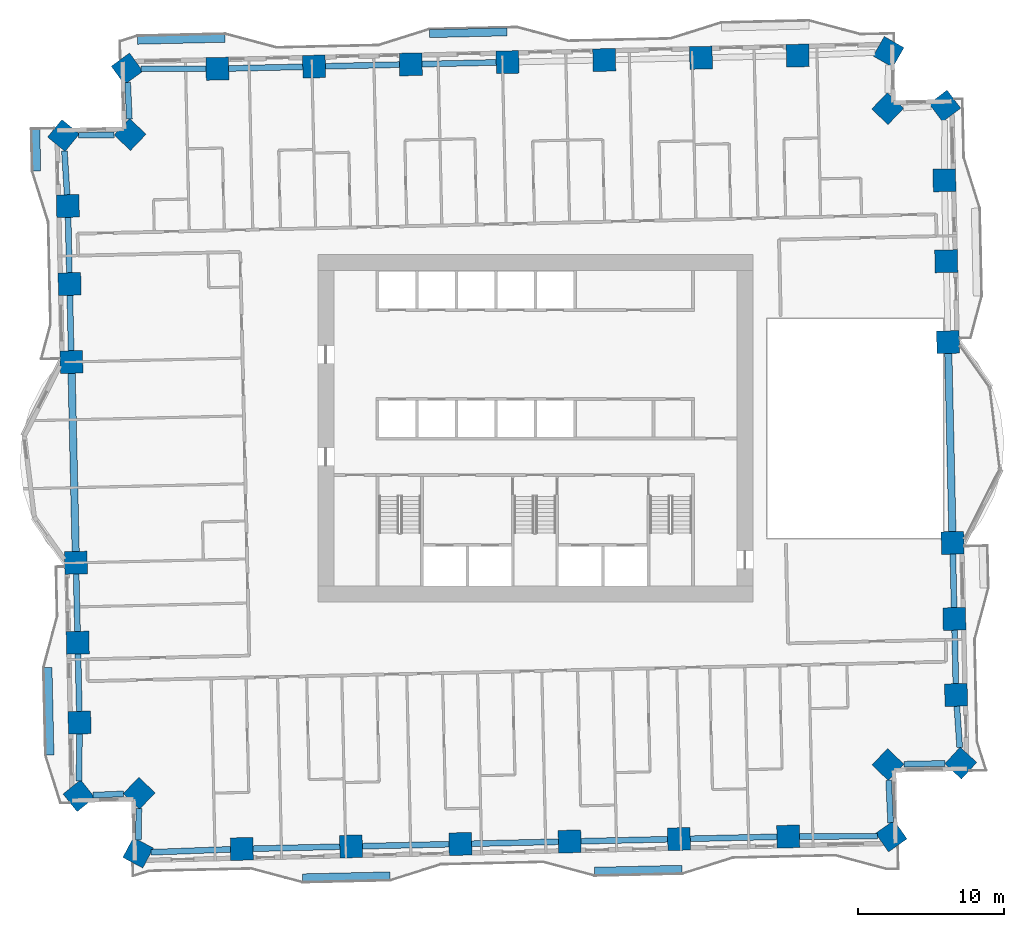
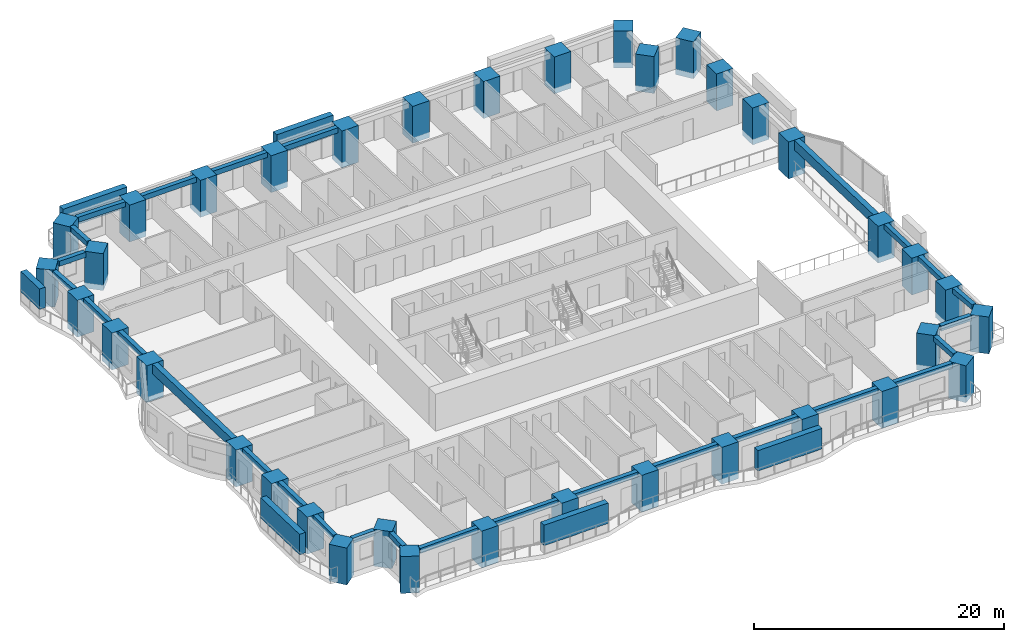
# One storey, part 1 of 16: 37 columns, 28 beams, 6 members.
"""IFC4 building model written with IfcOpenShell, lengths in metres."""

from ifc_helpers import new_model, si_unit, direction, frame, origin, origin_2d, place, context, subcontext, project, spatial, rectangle, extrude, material, material_profile, profile_set, type_object, element, save


model = new_model("IFC4")

# Units and contexts
model_context = context("Model", 3, precision=1e-05, world=origin(), true_north=direction((0.0, 1.0)))
body_context = subcontext(model_context, "Body", "Model", "MODEL_VIEW")
ifc_project = project(units=[si_unit("LENGTHUNIT", "METRE"), si_unit("AREAUNIT", "SQUARE_METRE"), si_unit("VOLUMEUNIT", "CUBIC_METRE"), si_unit("PLANEANGLEUNIT", "RADIAN"), si_unit("MASSUNIT", "GRAM", prefix="KILO")], contexts=[model_context])

# Site, building, storey
site_placement = place(None, origin())
site = spatial("IfcSite", under=ifc_project, at=site_placement, CompositionType="ELEMENT")
building_placement = place(site_placement, origin())
building = spatial("IfcBuilding", under=site, at=building_placement, Name="Mangrove Gate Tower", CompositionType="ELEMENT")
storey_placement = place(building_placement, frame((0.0, 0.0, 37.699951171875)))
storey = spatial("IfcBuildingStorey", under=building, at=storey_placement, Name="L08", CompositionType="ELEMENT", Elevation=37.699951171875)

# Columns
ifc_material_1 = material(Name="Concrete C70/85", Category="concrete")
ifc_material_profile_1 = material_profile(ifc_material_1, rectangle(XDim=1.550048828125, YDim=1.550048828125, at=origin_2d()))
ifc_profile_set_1 = profile_set([ifc_material_profile_1], Name="Concrete C70/85")
column_type = type_object("IfcColumnType", Name="Column RC 1550x1550 C70/85", PredefinedType="COLUMN", material=ifc_profile_set_1)
for number, where, z_axis, x_axis, name in (
    (1, (-31.461181640625, -9.204345703125, -0.550048828125), (0.0, 0.0, 1.0), (0.022677684385, -0.999742828247, 0.0), "Column L08 W06"),
    (2, (-31.337158203125, -14.678466796875, -0.550048828125), (0.0, 0.0, 1.0), (0.022648789156, -0.999743483274, 0.0), "Column L08 W07"),
    (3, (-31.213134765625, -20.1513671875, -0.550048828125), (0.0, 0.0, 1.0), (0.022740081264, -0.999741410918, 0.0), "Column L08 W08"),
    (4, (-31.259033203125, -25.157470703125, -0.550048828125), (0.0, 0.0, 1.0), (0.626513761853, -0.779410358033, 0.0), "Column L08 W09"),
    (5, (-27.129638671875, -24.986572265625, -0.550048828125), (0.0, 0.0, 1.0), (0.723003777622, -0.690844076144, 0.0), "Column L08 W10"),
    (6, (-27.205078125, -29.061767578125, -0.550048828125), (0.0, 0.0, 1.0), (0.88296485665, -0.469439092877, 0.0), "Column L08 S01"),
    (7, (-20.1025390625, -28.80224609375, -0.550048828125), (0.0, 0.0, 1.0), (0.999743591179, 0.022644025629, 0.0), "Column L08 S02"),
    (8, (-12.61962890625, -28.632080078125, -0.550048828125), (0.0, 0.0, 1.0), (0.999742076866, 0.022710784754, 0.0), "Column L08 S03"),
    (9, (-5.135498046875, -28.462158203125, -0.550048828125), (0.0, 0.0, 1.0), (0.999742111349, 0.022709266709, 0.0), "Column L08 S04"),
    (10, (2.348388671875, -28.292236328125, -0.550048828125), (0.0, 0.0, 1.0), (0.999742111349, 0.022709266709, 0.0), "Column L08 S05"),
    (11, (9.83251953125, -28.122314453125, -0.550048828125), (0.0, 0.0, 1.0), (0.999742076866, 0.022710784754, 0.0), "Column L08 S06"),
    (12, (17.3154296875, -27.9521484375, -0.550048828125), (0.0, 0.0, 1.0), (0.999743591179, 0.022644025629, 0.0), "Column L08 S07"),
    (13, (24.3720703125, -27.92333984375, -0.550048828125), (0.0, 0.0, 1.0), (0.818798537757, 0.574080965166, 0.0), "Column L08 S08"),
    (14, (24.143798828125, -23.023681640625, -0.550048828125), (0.0, 0.0, 1.0), (0.690875836988, 0.722973428188, 0.0), "Column L08 E01"),
    (15, (29.1318359375, -22.921142578125, -0.550048828125), (0.0, 0.0, 1.0), (0.675975496551, 0.736924099255, 0.0), "Column L08 E02"),
    (16, (28.80908203125, -18.256591796875, -0.550048828125), (0.0, 0.0, 1.0), (-0.022754110081, 0.99974109172, 0.0), "Column L08 E03"),
    (17, (28.691162109375, -13.049560546875, -0.550048828125), (0.0, 0.0, 1.0), (-0.022655978068, 0.999743320387, 0.0), "Column L08 E04"),
    (18, (28.5732421875, -7.842529296875, -0.550048828125), (0.0, 0.0, 1.0), (-0.022680668131, 0.999742760561, 0.0), "Column L08 E05"),
    (19, (28.26123046875, 5.904296875, -0.550048828125), (0.0, 0.0, 1.0), (-0.022703735442, 0.999742236978, 0.0), "Column L08 E06"),
    (20, (28.13525390625, 11.4443359375, -0.550048828125), (0.0, 0.0, 1.0), (-0.022645578574, 0.999743556004, 0.0), "Column L08 E07"),
    (21, (28.01025390625, 16.9853515625, -0.550048828125), (0.0, 0.0, 1.0), (-0.022645578574, 0.999743556004, 0.0), "Column L08 E08"),
    (22, (28.041015625, 22.0751953125, -0.550048828125), (0.0, 0.0, 1.0), (-0.60357593887, 0.797305516109, 0.0), "Column L08 E09"),
    (23, (24.12451171875, 21.8916015625, -0.550048828125), (0.0, 0.0, 1.0), (-0.723010312757, 0.690837236726, 0.0), "Column L08 E10"),
    (24, (24.18359375, 25.778564453125, -0.550048828125), (0.0, 0.0, 1.0), (-0.867550504106, 0.497349095531, 0.0), "Column L08 N01"),
    (25, (17.963623046875, 25.526123046875, -0.550048828125), (0.0, 0.0, 1.0), (-0.999741913532, -0.022717973655, 0.0), "Column L08 N02"),
    (26, (11.340576171875, 25.375244140625, -0.550048828125), (0.0, 0.0, 1.0), (-0.999741952388, -0.022716263674, 0.0), "Column L08 N03"),
    (27, (4.716552734375, 25.22509765625, -0.550048828125), (0.0, 0.0, 1.0), (-0.999743663498, -0.022640832496, 0.0), "Column L08 N04"),
    (28, (-1.906494140625, 25.0751953125, -0.550048828125), (0.0, 0.0, 1.0), (-0.999741913532, -0.022717973655, 0.0), "Column L08 N05"),
    (29, (-8.529296875, 24.92431640625, -0.550048828125), (0.0, 0.0, 1.0), (-0.999741952388, -0.022716263674, 0.0), "Column L08 N06"),
    (30, (-15.153564453125, 24.774169921875, -0.550048828125), (0.0, 0.0, 1.0), (-0.999743663498, -0.022640832496, 0.0), "Column L08 N07"),
    (31, (-21.7763671875, 24.624267578125, -0.550048828125), (0.0, 0.0, 1.0), (-0.999743624771, -0.02264254248, 0.0), "Column L08 N08"),
    (32, (-27.960693359375, 24.62255859375, -0.550048828125), (0.0, 0.0, 1.0), (-0.808269368168, -0.588812897686, 0.0), "Column L08 N09"),
    (33, (-27.752685546875, 20.114501953125, -0.550048828125), (0.0, 0.0, 1.0), (-0.690863130287, -0.722985570541, 0.0), "Column L08 W01"),
    (34, (-32.3134765625, 20.052734375, -0.550048828125), (0.0, 0.0, 1.0), (-0.63510539695, -0.772425488164, 0.0), "Column L08 W02"),
    (35, (-32.01513671875, 15.22265625, -0.550048828125), (0.0, 0.0, 1.0), (0.022746921185, -0.999741255314, 0.0), "Column L08 W03"),
    (36, (-31.894287109375, 9.882568359375, -0.550048828125), (0.0, 0.0, 1.0), (0.022653360746, -0.999743379696, 0.0), "Column L08 W04"),
    (37, (-31.773193359375, 4.54248046875, -0.550048828125), (0.0, 0.0, 1.0), (0.022679760793, -0.999742781144, 0.0), "Column L08 W05"),
):
    element("IfcColumn", number, at=place(storey_placement, frame(where, z_axis=z_axis, x_axis=x_axis)), inside=storey, type_object=column_type, Name=name, PredefinedType="COLUMN", context=body_context, shape_type="SweptSolid", body=[
        extrude(rectangle(XDim=1.550048828125, YDim=1.550048828125, at=origin_2d()), origin(), (0.0, 0.0, 1.0), 3.60009765625),
    ])

# Members
ifc_material_2 = material(Name="Planting on aluminium trellis", Category="aluminium")
ifc_material_profile_2 = material_profile(ifc_material_2, rectangle(XDim=0.550048828125, YDim=2.0, at=origin_2d()))
ifc_profile_set_2 = profile_set([ifc_material_profile_2], Name="Planting on aluminium trellis")
member_type = type_object("IfcMemberType", Name="Balcony greenery screen 550x2000", PredefinedType="USERDEFINED", material=ifc_profile_set_2)
member_1_placement = place(storey_placement, frame((-27.2470703125, 26.574951171875, 1.800048828125), z_axis=(0.999743178102, 0.022662255828, 0.0), x_axis=(-0.022662255828, 0.999743178102, 0.0)))
element("IfcMember", 38, at=member_1_placement, inside=storey, type_object=member_type, Name="GREEN SCREEN L08 N1.1", ObjectType="PLANTING", PredefinedType="USERDEFINED", context=body_context, shape_type="SweptSolid", body=[
    extrude(rectangle(XDim=0.550048828125, YDim=2.0, at=origin_2d()), origin(), (0.0, 0.0, 1.0), 6.00048828125),
])
member_2_placement = place(storey_placement, frame((-7.251953125, 27.029052734375, 1.800048828125), z_axis=(0.999744231672, 0.022615729912, 0.0), x_axis=(-0.022615729912, 0.999744231672, 0.0)))
element("IfcMember", 39, at=member_2_placement, inside=storey, type_object=member_type, Name="GREEN SCREEN L08 N1.2", ObjectType="PLANTING", PredefinedType="USERDEFINED", context=body_context, shape_type="SweptSolid", body=[
    extrude(rectangle(XDim=0.550048828125, YDim=2.0, at=origin_2d()), origin(), (0.0, 0.0, 1.0), 5.300537109375),
])
member_3_placement = place(storey_placement, frame((-34.14501953125, 17.616943359375, 1.800048828125), z_axis=(-0.022730967319, 0.999741618182, 0.0), x_axis=(-0.999741618182, -0.022730967319, 0.0)))
element("IfcMember", 40, at=member_3_placement, inside=storey, type_object=member_type, Name="GREEN SCREEN L08 W0.1", ObjectType="PLANTING", PredefinedType="USERDEFINED", context=body_context, shape_type="SweptSolid", body=[
    extrude(rectangle(XDim=0.550048828125, YDim=2.0, at=origin_2d()), origin(), (0.0, 0.0, 1.0), 2.89990234375),
])
member_4_placement = place(storey_placement, frame((-33.237060546875, -22.373046875, 1.800048828125), z_axis=(-0.022824916448, 0.999739477659, 0.0), x_axis=(-0.999739477659, -0.022824916448, 0.0)))
element("IfcMember", 41, at=member_4_placement, inside=storey, type_object=member_type, Name="GREEN SCREEN L08 W1.1", ObjectType="PLANTING", PredefinedType="USERDEFINED", context=body_context, shape_type="SweptSolid", body=[
    extrude(rectangle(XDim=0.550048828125, YDim=2.0, at=origin_2d()), origin(), (0.0, 0.0, 1.0), 6.00048828125),
])
for number, where, z_axis, x_axis, name in (
    (42, (-15.943115234375, -30.781982421875, 1.800048828125), (0.999743094499, 0.022665943652, 0.0), (-0.022665943652, 0.999743094499, 0.0), "GREEN SCREEN L08 S0.1"),
    (43, (4.052001953125, -30.3291015625, 1.800048828125), (0.999743094499, 0.022665943652, 0.0), (-0.022665943652, 0.999743094499, 0.0), "GREEN SCREEN L08 S1.1"),
):
    element("IfcMember", number, at=place(storey_placement, frame(where, z_axis=z_axis, x_axis=x_axis)), inside=storey, type_object=member_type, Name=name, ObjectType="PLANTING", PredefinedType="USERDEFINED", context=body_context, shape_type="SweptSolid", body=[
        extrude(rectangle(XDim=0.550048828125, YDim=2.0, at=origin_2d()), origin(), (0.0, 0.0, 1.0), 5.99951171875),
    ])

# Beams
ifc_material_3 = material(Name="Concrete C50/60", Category="concrete")
ifc_material_profile_3 = material_profile(ifc_material_3, rectangle(XDim=0.39990234375, YDim=0.5, at=origin_2d()))
ifc_profile_set_3 = profile_set([ifc_material_profile_3], Name="Concrete C50/60")
beam_type_1 = type_object("IfcBeamType", Name="Edge beam RC 400x500 C50/60", PredefinedType="BEAM", material=ifc_profile_set_3)
beam_1_placement = place(storey_placement, frame((-31.443603515625, -9.979248046875, 2.800048828125), z_axis=(0.022639461541, -0.999743694544, 0.0), x_axis=(0.999743694544, 0.022639461541, 0.0)))
element("IfcBeam", 44, at=beam_1_placement, inside=storey, type_object=beam_type_1, Name="Edge beam L08 00", PredefinedType="BEAM", context=body_context, shape_type="SweptSolid", body=[
    extrude(rectangle(XDim=0.39990234375, YDim=0.5, at=origin_2d()), origin(), (0.0, 0.0, 1.0), 3.92529296875),
])
beam_2_placement = place(storey_placement, frame((-31.319580078125, -15.453369140625, 2.800048828125), z_axis=(0.022646502382, -0.999743535078, 0.0), x_axis=(0.999743535078, 0.022646502382, 0.0)))
element("IfcBeam", 45, at=beam_2_placement, inside=storey, type_object=beam_type_1, Name="Edge beam L08 01", PredefinedType="BEAM", context=body_context, shape_type="SweptSolid", body=[
    extrude(rectangle(XDim=0.39990234375, YDim=0.5, at=origin_2d()), origin(), (0.0, 0.0, 1.0), 3.924072265625),
])
beam_3_placement = place(storey_placement, frame((-31.22021484375, -20.9267578125, 2.800048828125), z_axis=(-0.009148263769, -0.999958153759, 0.0), x_axis=(0.999958153759, -0.009148263769, 0.0)))
element("IfcBeam", 46, at=beam_3_placement, inside=storey, type_object=beam_type_1, Name="Edge beam L08 02", PredefinedType="BEAM", context=body_context, shape_type="SweptSolid", body=[
    extrude(rectangle(XDim=0.39990234375, YDim=0.5, at=origin_2d()), origin(), (0.0, 0.0, 1.0), 3.229248046875),
])
beam_4_placement = place(storey_placement, frame((-30.296630859375, -25.11767578125, 2.800048828125), z_axis=(0.999147563526, 0.041281306896, 0.0), x_axis=(-0.041281306896, 0.999147563526, 0.0)))
element("IfcBeam", 47, at=beam_4_placement, inside=storey, type_object=beam_type_1, Name="Edge beam L08 03", PredefinedType="BEAM", context=body_context, shape_type="SweptSolid", body=[
    extrude(rectangle(XDim=0.39990234375, YDim=0.5, at=origin_2d()), origin(), (0.0, 0.0, 1.0), 2.093505859375),
])
beam_5_placement = place(storey_placement, frame((-27.149169921875, -26.0400390625, 2.800048828125), z_axis=(-0.018483855383, -0.999829158952, 0.0), x_axis=(0.999829158952, -0.018483855383, 0.0)))
element("IfcBeam", 48, at=beam_5_placement, inside=storey, type_object=beam_type_1, Name="Edge beam L08 04", PredefinedType="BEAM", context=body_context, shape_type="SweptSolid", body=[
    extrude(rectangle(XDim=0.39990234375, YDim=0.5, at=origin_2d()), origin(), (0.0, 0.0, 1.0), 2.153076171875),
])
beam_6_placement = place(storey_placement, frame((-26.31005859375, -29.029052734375, 2.800048828125), z_axis=(0.999333286168, 0.036510041866, 0.0), x_axis=(-0.036510041866, 0.999333286168, 0.0)))
element("IfcBeam", 49, at=beam_6_placement, inside=storey, type_object=beam_type_1, Name="Edge beam L08 05", PredefinedType="BEAM", context=body_context, shape_type="SweptSolid", body=[
    extrude(rectangle(XDim=0.39990234375, YDim=0.5, at=origin_2d()), origin(), (0.0, 0.0, 1.0), 5.4365234375),
])
beam_7_placement = place(storey_placement, frame((-19.32763671875, -28.78466796875, 2.800048828125), z_axis=(0.999742154006, 0.022707388759, 0.0), x_axis=(-0.022707388759, 0.999742154006, 0.0)))
element("IfcBeam", 50, at=beam_7_placement, inside=storey, type_object=beam_type_1, Name="Edge beam L08 06", PredefinedType="BEAM", context=body_context, shape_type="SweptSolid", body=[
    extrude(rectangle(XDim=0.39990234375, YDim=0.5, at=origin_2d()), origin(), (0.0, 0.0, 1.0), 5.934814453125),
])
for number, where, z_axis, x_axis, name in (
    (51, (-11.8447265625, -28.614501953125, 2.800048828125), (0.999742238829, 0.02270365392, 0.0), (-0.02270365392, 0.999742238829, 0.0), "Edge beam L08 07"),
    (52, (-4.36083984375, -28.444580078125, 2.800048828125), (0.999742238829, 0.02270365392, 0.0), (-0.02270365392, 0.999742238829, 0.0), "Edge beam L08 08"),
    (53, (3.123291015625, -28.274658203125, 2.800048828125), (0.999742238829, 0.02270365392, 0.0), (-0.02270365392, 0.999742238829, 0.0), "Edge beam L08 09"),
):
    element("IfcBeam", number, at=place(storey_placement, frame(where, z_axis=z_axis, x_axis=x_axis)), inside=storey, type_object=beam_type_1, Name=name, PredefinedType="BEAM", context=body_context, shape_type="SweptSolid", body=[
        extrude(rectangle(XDim=0.39990234375, YDim=0.5, at=origin_2d()), origin(), (0.0, 0.0, 1.0), 5.935791015625),
    ])
beam_8_placement = place(storey_placement, frame((10.607177734375, -28.1044921875, 2.800048828125), z_axis=(0.999742175215, 0.022706454934, 0.0), x_axis=(-0.022706454934, 0.999742175215, 0.0)))
element("IfcBeam", 54, at=beam_8_placement, inside=storey, type_object=beam_type_1, Name="Edge beam L08 10", PredefinedType="BEAM", context=body_context, shape_type="SweptSolid", body=[
    extrude(rectangle(XDim=0.39990234375, YDim=0.5, at=origin_2d()), origin(), (0.0, 0.0, 1.0), 5.93505859375),
])
beam_9_placement = place(storey_placement, frame((18.090576171875, -27.948974609375, 2.800048828125), z_axis=(0.999991714378, 0.004070770826, 0.0), x_axis=(-0.004070770826, 0.999991714378, 0.0)))
element("IfcBeam", 55, at=beam_9_placement, inside=storey, type_object=beam_type_1, Name="Edge beam L08 11", PredefinedType="BEAM", context=body_context, shape_type="SweptSolid", body=[
    extrude(rectangle(XDim=0.39990234375, YDim=0.5, at=origin_2d()), origin(), (0.0, 0.0, 1.0), 5.337646484375),
])
beam_10_placement = place(storey_placement, frame((24.329345703125, -27.0068359375, 2.800048828125), z_axis=(-0.046539094766, 0.99891646931, 0.0), x_axis=(-0.99891646931, -0.046539094766, 0.0)))
element("IfcBeam", 56, at=beam_10_placement, inside=storey, type_object=beam_type_1, Name="Edge beam L08 12", PredefinedType="BEAM", context=body_context, shape_type="SweptSolid", body=[
    extrude(rectangle(XDim=0.39990234375, YDim=0.5, at=origin_2d()), origin(), (0.0, 0.0, 1.0), 2.916748046875),
])
beam_11_placement = place(storey_placement, frame((25.237060546875, -23.001220703125, 2.800048828125), z_axis=(0.999788239526, 0.020578535069, 0.0), x_axis=(-0.020578535069, 0.999788239526, 0.0)))
element("IfcBeam", 57, at=beam_11_placement, inside=storey, type_object=beam_type_1, Name="Edge beam L08 13", PredefinedType="BEAM", context=body_context, shape_type="SweptSolid", body=[
    extrude(rectangle(XDim=0.39990234375, YDim=0.5, at=origin_2d()), origin(), (0.0, 0.0, 1.0), 2.823486328125),
])
beam_12_placement = place(storey_placement, frame((29.05810546875, -21.85498046875, 2.800048828125), z_axis=(-0.068985575755, 0.997617657391, 0.0), x_axis=(-0.997617657391, -0.068985575755, 0.0)))
element("IfcBeam", 58, at=beam_12_placement, inside=storey, type_object=beam_type_1, Name="Edge beam L08 14", PredefinedType="BEAM", context=body_context, shape_type="SweptSolid", body=[
    extrude(rectangle(XDim=0.39990234375, YDim=0.5, at=origin_2d()), origin(), (0.0, 0.0, 1.0), 2.831298828125),
])
beam_13_placement = place(storey_placement, frame((28.791748046875, -17.48193359375, 2.800048828125), z_axis=(-0.022689571451, 0.999742558536, 0.0), x_axis=(-0.999742558536, -0.022689571451, 0.0)))
element("IfcBeam", 59, at=beam_13_placement, inside=storey, type_object=beam_type_1, Name="Edge beam L08 15", PredefinedType="BEAM", context=body_context, shape_type="SweptSolid", body=[
    extrude(rectangle(XDim=0.39990234375, YDim=0.5, at=origin_2d()), origin(), (0.0, 0.0, 1.0), 3.658447265625),
])
beam_14_placement = place(storey_placement, frame((28.673583984375, -12.274658203125, 2.800048828125), z_axis=(-0.022624381053, 0.999744035932, 0.0), x_axis=(-0.999744035932, -0.022624381053, 0.0)))
element("IfcBeam", 60, at=beam_14_placement, inside=storey, type_object=beam_type_1, Name="Edge beam L08 16", PredefinedType="BEAM", context=body_context, shape_type="SweptSolid", body=[
    extrude(rectangle(XDim=0.39990234375, YDim=0.5, at=origin_2d()), origin(), (0.0, 0.0, 1.0), 3.658203125),
])
beam_15_placement = place(storey_placement, frame((-2.68115234375, 25.0576171875, 2.800048828125), z_axis=(-0.999739969445, -0.02280336584, 0.0), x_axis=(0.02280336584, -0.999739969445, 0.0)))
element("IfcBeam", 61, at=beam_15_placement, inside=storey, type_object=beam_type_1, Name="Edge beam L08 27", PredefinedType="BEAM", context=body_context, shape_type="SweptSolid", body=[
    extrude(rectangle(XDim=0.39990234375, YDim=0.5, at=origin_2d()), origin(), (0.0, 0.0, 1.0), 5.07470703125),
])
beam_16_placement = place(storey_placement, frame((-9.30419921875, 24.90673828125, 2.800048828125), z_axis=(-0.999743348065, -0.022654756648, 0.0), x_axis=(0.022654756648, -0.999743348065, 0.0)))
element("IfcBeam", 62, at=beam_16_placement, inside=storey, type_object=beam_type_1, Name="Edge beam L08 28", PredefinedType="BEAM", context=body_context, shape_type="SweptSolid", body=[
    extrude(rectangle(XDim=0.39990234375, YDim=0.5, at=origin_2d()), origin(), (0.0, 0.0, 1.0), 5.07568359375),
])
beam_17_placement = place(storey_placement, frame((-15.92822265625, 24.756591796875, 2.800048828125), z_axis=(-0.999744337953, -0.022611031175, 0.0), x_axis=(0.022611031175, -0.999744337953, 0.0)))
element("IfcBeam", 63, at=beam_17_placement, inside=storey, type_object=beam_type_1, Name="Edge beam L08 29", PredefinedType="BEAM", context=body_context, shape_type="SweptSolid", body=[
    extrude(rectangle(XDim=0.39990234375, YDim=0.5, at=origin_2d()), origin(), (0.0, 0.0, 1.0), 5.07470703125),
])
beam_18_placement = place(storey_placement, frame((-22.5517578125, 24.6240234375, 2.800048828125), z_axis=(-0.999999962379, -0.000274303259, 0.0), x_axis=(0.000274303259, -0.999999962379, 0.0)))
element("IfcBeam", 64, at=beam_18_placement, inside=storey, type_object=beam_type_1, Name="Edge beam L08 30", PredefinedType="BEAM", context=body_context, shape_type="SweptSolid", body=[
    extrude(rectangle(XDim=0.39990234375, YDim=0.5, at=origin_2d()), origin(), (0.0, 0.0, 1.0), 4.4501953125),
])
beam_19_placement = place(storey_placement, frame((-27.91796875, 23.69482421875, 2.800048828125), z_axis=(0.046152499046, -0.99893440567, 0.0), x_axis=(0.99893440567, 0.046152499046, 0.0)))
element("IfcBeam", 65, at=beam_19_placement, inside=storey, type_object=beam_type_1, Name="Edge beam L08 31", PredefinedType="BEAM", context=body_context, shape_type="SweptSolid", body=[
    extrude(rectangle(XDim=0.39990234375, YDim=0.5, at=origin_2d()), origin(), (0.0, 0.0, 1.0), 2.5126953125),
])
beam_20_placement = place(storey_placement, frame((-28.838623046875, 20.099853515625, 2.800048828125), z_axis=(-0.999908940349, -0.013494851234, 0.0), x_axis=(0.013494851234, -0.999908940349, 0.0)))
element("IfcBeam", 66, at=beam_20_placement, inside=storey, type_object=beam_type_1, Name="Edge beam L08 32", PredefinedType="BEAM", context=body_context, shape_type="SweptSolid", body=[
    extrude(rectangle(XDim=0.39990234375, YDim=0.5, at=origin_2d()), origin(), (0.0, 0.0, 1.0), 2.46044921875),
])
beam_21_placement = place(storey_placement, frame((-32.248046875, 18.995849609375, 2.800048828125), z_axis=(0.061589140579, -0.998101586895, 0.0), x_axis=(0.998101586895, 0.061589140579, 0.0)))
element("IfcBeam", 67, at=beam_21_placement, inside=storey, type_object=beam_type_1, Name="Edge beam L08 33", PredefinedType="BEAM", context=body_context, shape_type="SweptSolid", body=[
    extrude(rectangle(XDim=0.39990234375, YDim=0.5, at=origin_2d()), origin(), (0.0, 0.0, 1.0), 3.004638671875),
])
for number, where, z_axis, x_axis, name in (
    (68, (-31.99755859375, 14.44775390625, 2.800048828125), (0.022602919614, -0.999744521378, 0.0), (0.999744521378, 0.022602919614, 0.0), "Edge beam L08 34"),
    (69, (-31.876708984375, 9.107666015625, 2.800048828125), (0.022667282356, -0.999743064147, 0.0), (0.999743064147, 0.022667282356, 0.0), "Edge beam L08 35"),
):
    element("IfcBeam", number, at=place(storey_placement, frame(where, z_axis=z_axis, x_axis=x_axis)), inside=storey, type_object=beam_type_1, Name=name, PredefinedType="BEAM", context=body_context, shape_type="SweptSolid", body=[
        extrude(rectangle(XDim=0.39990234375, YDim=0.5, at=origin_2d()), origin(), (0.0, 0.0, 1.0), 3.791259765625),
    ])
ifc_material_4 = material(Name="Concrete C50/60", Category="concrete")
ifc_material_profile_4 = material_profile(ifc_material_4, rectangle(XDim=0.5, YDim=0.949951171875, at=origin_2d()))
ifc_profile_set_4 = profile_set([ifc_material_profile_4], Name="Concrete C50/60")
beam_type_2 = type_object("IfcBeamType", Name="Edge beam RC 500x950 C50/60", PredefinedType="BEAM", material=ifc_profile_set_4)
for number, where, z_axis, x_axis, name in (
    (70, (28.5556640625, -7.06787109375, 2.574951171875), (-0.0226918597, 0.9997425066, 0.0), (-0.9997425066, -0.0226918597, 0.0), "Edge beam L08 17"),
    (71, (-31.755615234375, 3.767822265625, 2.574951171875), (0.0226918597, -0.9997425066, 0.0), (0.9997425066, 0.0226918597, 0.0), "Edge beam L08 36"),
):
    element("IfcBeam", number, at=place(storey_placement, frame(where, z_axis=z_axis, x_axis=x_axis)), inside=storey, type_object=beam_type_2, Name=name, PredefinedType="BEAM", context=body_context, shape_type="SweptSolid", body=[
        extrude(rectangle(XDim=0.5, YDim=0.949951171875, at=origin_2d()), origin(), (0.0, 0.0, 1.0), 12.20068359375),
    ])

save(model, "model.ifc")
